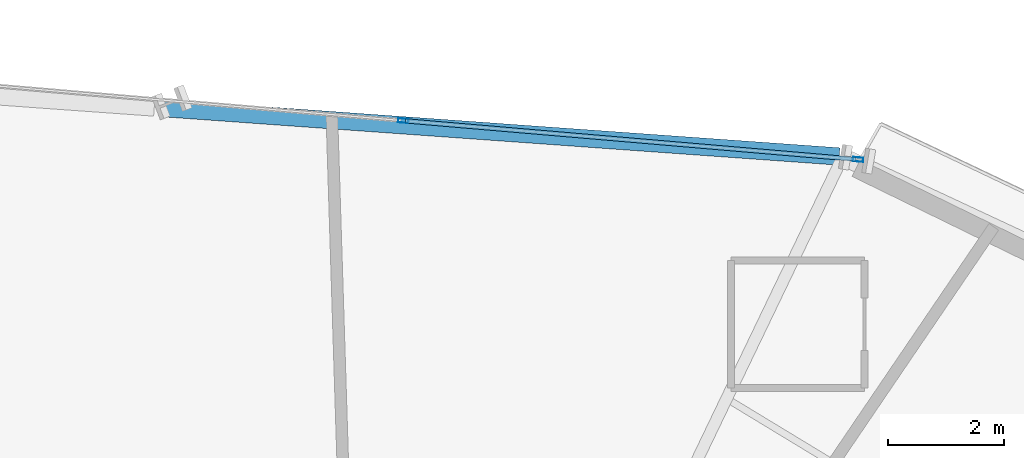
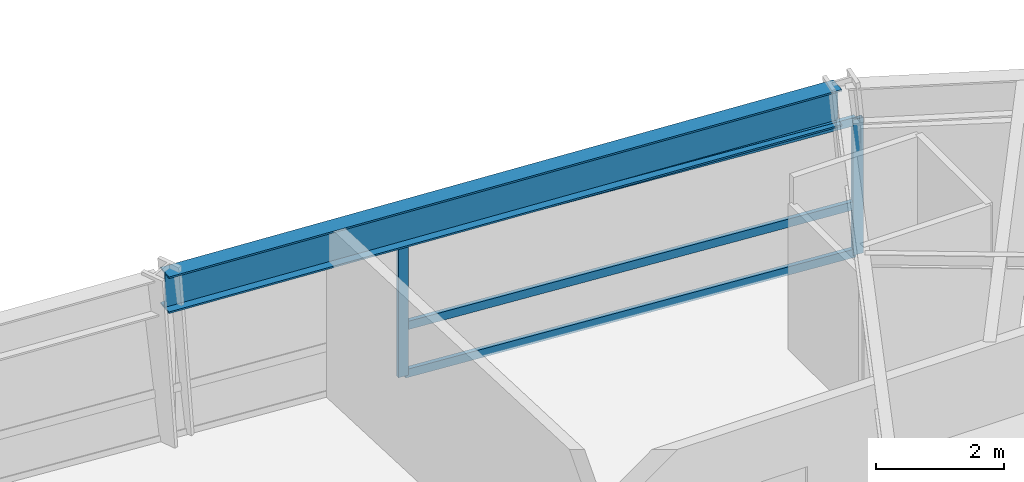
# One storey, part 10 of 21: 5 members, 1 beam, 1 element without a shape of its own.
"""IFC4 building model written with IfcOpenShell, lengths in metres."""

import ifcopenshell
import ifcopenshell.guid

model = None  # the IFC model being written
_history = None  # IfcOwnerHistory: only IFC2X3 demands one
_inside = {}  # id of a spatial element -> (the spatial element, [elements in it])
_under = {}  # id of a project, library or spatial element -> (it, [spatial elements below it])
_declared = {}  # id of a project -> (the project, [libraries it declares])
_typed = {}  # id of a type object -> (the type object, [elements of that type])
_made_of = {}  # id of a material, layer set ... -> (it, [elements and type objects made of it])


def new_model(schema):
    """Start an empty IFC model of exactly this schema.

    Asked for "IFC4X3", IfcOpenShell would pick the latest addendum, in which some entities
    have other attributes; the version numbers below select the first issue.
    IFC2X3 requires an IfcOwnerHistory on every rooted entity: one is made here for all.
    """
    global model, _history
    if schema == "IFC4X3":
        model = ifcopenshell.file(schema_version=(4, 3, 0, 0))
    else:
        model = ifcopenshell.file(schema=schema)
    _inside.clear()
    _under.clear()
    _declared.clear()
    _typed.clear()
    _made_of.clear()
    _history = None
    if model.schema == "IFC2X3":
        org = make("IfcOrganization", Name="unknown")
        user = make(
            "IfcPersonAndOrganization",
            ThePerson=make("IfcPerson", FamilyName="unknown"),
            TheOrganization=org,
        )
        app = make(
            "IfcApplication",
            ApplicationDeveloper=org,
            Version="unknown",
            ApplicationFullName="unknown",
            ApplicationIdentifier="unknown",
        )
        _history = make(
            "IfcOwnerHistory",
            OwningUser=user,
            OwningApplication=app,
            ChangeAction="ADDED",
            CreationDate=0,
        )
    return model


def make(cls, **values):
    """One entity of the class cls with the attributes given. An attribute that is None is left unset."""
    return model.create_entity(
        cls, **{name: value for name, value in values.items() if value is not None}
    )


def rooted(cls, **values):
    """An entity with a GlobalId (a new one), such as an element, a storey or a relation."""
    return make(cls, GlobalId=ifcopenshell.guid.new(), OwnerHistory=_history, **values)


def si_unit(unit_type, name, prefix=None):
    """IfcSIUnit, for example si_unit("LENGTHUNIT", "METRE", prefix="MILLI")."""
    return make("IfcSIUnit", UnitType=unit_type, Prefix=prefix, Name=name)


def assignment(units):
    """IfcUnitAssignment: the units of a project."""
    return None if units is None else make("IfcUnitAssignment", Units=units)


def point(xyz):
    """IfcCartesianPoint."""
    return None if xyz is None else make("IfcCartesianPoint", Coordinates=xyz)


def direction(xyz):
    """IfcDirection."""
    return None if xyz is None else make("IfcDirection", DirectionRatios=xyz)


def frame(location, z_axis=None, x_axis=None):
    """IfcAxis2Placement3D, a coordinate frame: its origin and axes. An axis left out is left unset."""
    return make(
        "IfcAxis2Placement3D",
        Location=point(location),
        Axis=direction(z_axis),
        RefDirection=direction(x_axis),
    )


def frame_2d(location, x_axis=None):
    """IfcAxis2Placement2D, a coordinate frame in the plane: its origin and x axis."""
    return make(
        "IfcAxis2Placement2D", Location=point(location), RefDirection=direction(x_axis)
    )


def origin():
    """The frame at (0, 0, 0) with its axes left unset."""
    return frame((0.0, 0.0, 0.0))


def origin_2d():
    """The frame at (0, 0) in the plane with its x axis left unset."""
    return frame_2d((0.0, 0.0))


def place(relative_to, where):
    """IfcLocalPlacement: puts the frame where relative to a parent placement (None: the world)."""
    return make(
        "IfcLocalPlacement", PlacementRelTo=relative_to, RelativePlacement=where
    )


def context(
    kind, dimensions, precision=None, world=None, true_north=None, identifier=None
):
    """IfcGeometricRepresentationContext, for example the 3D "Model" context."""
    return make(
        "IfcGeometricRepresentationContext",
        ContextIdentifier=identifier,
        ContextType=kind,
        CoordinateSpaceDimension=dimensions,
        Precision=precision,
        WorldCoordinateSystem=world,
        TrueNorth=true_north,
    )


def subcontext(parent, identifier, kind, view, scale=None):
    """IfcGeometricRepresentationSubContext, for example "Body" below "Model"."""
    return make(
        "IfcGeometricRepresentationSubContext",
        ContextIdentifier=identifier,
        ContextType=kind,
        ParentContext=parent,
        TargetScale=scale,
        TargetView=view,
    )


def project(units=None, contexts=None):
    """IfcProject with its units and contexts."""
    return rooted(
        "IfcProject",
        Name="project",
        RepresentationContexts=contexts,
        UnitsInContext=assignment(units),
    )


def spatial(cls, under=None, at=None, **own):
    """A site, building, storey or space (cls), placed at a placement, below another one or the project."""
    s = rooted(cls, ObjectPlacement=at, **own)
    if under is not None:
        _under.setdefault(under.id(), (under, []))[1].append(s)
    return s


def profile(cls, at=None, kind="AREA", **sizes):
    """A parametric profile (cls). Its sizes go by their IFC names, for example OverallWidth=200.0."""
    return make(cls, ProfileType=kind, Position=at, **sizes)


def hollow_rectangle(**sizes):
    """IfcRectangleHollowProfileDef."""
    return profile("IfcRectangleHollowProfileDef", **sizes)


def i_section(**sizes):
    """IfcIShapeProfileDef."""
    return profile("IfcIShapeProfileDef", **sizes)


def extrude(swept, where, along, depth):
    """IfcExtrudedAreaSolid: the profile swept, set in the frame where, extruded along a direction by depth."""
    return make(
        "IfcExtrudedAreaSolid",
        SweptArea=swept,
        Position=where,
        ExtrudedDirection=direction(along),
        Depth=depth,
    )


def shape(context_of_items, identifier, shape_type, items):
    """IfcShapeRepresentation: the items that make up one representation, for example the "Body"."""
    return make(
        "IfcShapeRepresentation",
        ContextOfItems=context_of_items,
        RepresentationIdentifier=identifier,
        RepresentationType=shape_type,
        Items=items,
    )


def source(mapping_origin, context_of_items, identifier, shape_type, items):
    """IfcRepresentationMap: a shape defined once, which mapped items show again and again."""
    return make(
        "IfcRepresentationMap",
        MappingOrigin=mapping_origin,
        MappedRepresentation=shape(context_of_items, identifier, shape_type, items),
    )


def transform(
    local_origin,
    x_axis=None,
    y_axis=None,
    z_axis=None,
    scale=None,
    scale2=None,
    scale3=None,
    uniform=True,
):
    """IfcCartesianTransformationOperator3D, or its non-uniform kind. x_axis, y_axis, z_axis: its Axis1, 2, 3."""
    if uniform:
        return make(
            "IfcCartesianTransformationOperator3D",
            Axis1=direction(x_axis),
            Axis2=direction(y_axis),
            LocalOrigin=point(local_origin),
            Scale=scale,
            Axis3=direction(z_axis),
        )
    return make(
        "IfcCartesianTransformationOperator3DnonUniform",
        Axis1=direction(x_axis),
        Axis2=direction(y_axis),
        LocalOrigin=point(local_origin),
        Scale=scale,
        Axis3=direction(z_axis),
        Scale2=scale2,
        Scale3=scale3,
    )


def mapped(mapping_source, mapping_target):
    """IfcMappedItem: shows the shape of a source again, moved by a transform."""
    return make(
        "IfcMappedItem", MappingSource=mapping_source, MappingTarget=mapping_target
    )


def material(Name=None, Category=None):
    """IfcMaterial."""
    return make("IfcMaterial", Name=Name, Category=Category)


def material_profile(
    of_material, cross_section, Name=None, Category=None, Priority=None
):
    """IfcMaterialProfile: a cross section and its material."""
    return make(
        "IfcMaterialProfile",
        Name=Name,
        Material=of_material,
        Profile=cross_section,
        Priority=Priority,
        Category=Category,
    )


def profile_set(profiles, Name=None, composite=None):
    """IfcMaterialProfileSet."""
    return make(
        "IfcMaterialProfileSet",
        Name=Name,
        MaterialProfiles=profiles,
        CompositeProfile=composite,
    )


def made_of(thing, what):
    """Note that an element or type object is made of a material, layer set ...; save() writes the relation."""
    if what is not None:
        _made_of.setdefault(what.id(), (what, []))[1].append(thing)
    return thing


def type_object(cls, material=None, **own):
    """A type object (cls), such as IfcWallType, which elements share."""
    return made_of(rooted(cls, **own), material)


def element(
    cls,
    number,
    at=None,
    inside=None,
    cuts=None,
    type_object=None,
    material=None,
    context=None,
    identifier="Body",
    shape_type=None,
    held_by="IfcProductDefinitionShape",
    body=None,
    shapes=None,
    **own,
):
    """One element of the class cls, such as IfcWall. Its Tag is "e" and its number.

    at: its placement. inside: the storey or other place that contains it. cuts: it is an
    opening in that element (IfcRelVoidsElement). A single representation is given by context,
    identifier, shape_type and body (its items); several are given by shapes. held_by: the class
    of the entity that holds the representations. save() writes the other relations.
    """
    e = rooted(cls, Tag="e%d" % number, ObjectPlacement=at, **own)
    if body is not None:
        shapes = [shape(context, identifier, shape_type, body)]
    if shapes is not None:
        e.Representation = make(held_by, Representations=shapes)
    if inside is not None:
        _inside.setdefault(inside.id(), (inside, []))[1].append(e)
    if cuts is not None:
        rooted(
            "IfcRelVoidsElement", RelatingBuildingElement=cuts, RelatedOpeningElement=e
        )
    if type_object is not None:
        _typed.setdefault(type_object.id(), (type_object, []))[1].append(e)
    return made_of(e, material)


def aggregate(whole, parts):
    """IfcRelAggregates: a whole, such as a stair, and the parts it consists of."""
    return rooted("IfcRelAggregates", RelatingObject=whole, RelatedObjects=parts)


def save(model, path):
    """Write the relations noted so far, then the file.

    IfcRelAggregates (storeys below a building ...), IfcRelContainedInSpatialStructure (elements
    in a storey), IfcRelDefinesByType, IfcRelAssociatesMaterial and IfcRelDeclares: one each for
    every whole, place, type object, material and project.
    """
    for whole, parts in _under.values():
        aggregate(whole, parts)
    for where, things in _inside.values():
        rooted(
            "IfcRelContainedInSpatialStructure",
            RelatedElements=things,
            RelatingStructure=where,
        )
    for kind, things in _typed.values():
        rooted("IfcRelDefinesByType", RelatedObjects=things, RelatingType=kind)
    for what, things in _made_of.values():
        rooted("IfcRelAssociatesMaterial", RelatedObjects=things, RelatingMaterial=what)
    for by, libraries in _declared.values():
        rooted("IfcRelDeclares", RelatingContext=by, RelatedDefinitions=libraries)
    model.write(path)


model = new_model("IFC4")

# Units and contexts
model_context = context("Model", 3, precision=1e-05, world=origin(), true_north=direction((0.0, 1.0)))
body_context = subcontext(model_context, "Body", "Model", "MODEL_VIEW")
ifc_project = project(units=[si_unit("LENGTHUNIT", "METRE"), si_unit("AREAUNIT", "SQUARE_METRE"), si_unit("VOLUMEUNIT", "CUBIC_METRE"), si_unit("PLANEANGLEUNIT", "RADIAN"), si_unit("MASSUNIT", "GRAM", prefix="KILO")], contexts=[model_context])

# Site, building, storey
site_placement = place(None, origin())
site = spatial("IfcSite", under=ifc_project, at=site_placement, CompositionType="ELEMENT")
building_placement = place(site_placement, origin())
building = spatial("IfcBuilding", under=site, at=building_placement, Name="Olszyna Solenne Hotel", CompositionType="ELEMENT")
storey_placement = place(building_placement, frame((0.0, 0.0, 68.35009765625)))
storey = spatial("IfcBuildingStorey", under=building, at=storey_placement, Name="L17", CompositionType="ELEMENT", Elevation=68.35009765625)

# Beam
ifc_material_1 = material(Name="Steel S355J2", Category="steel")
ifc_material_profile_1 = material_profile(ifc_material_1, i_section(OverallWidth=0.300048828125, OverallDepth=0.699951171875, WebThickness=0.01708984375, FlangeThickness=0.031982421875, at=origin_2d()), Name="HEB 700", Category="load-bearing")
ifc_profile_set_1 = profile_set([ifc_material_profile_1], Name="Steel S355J2")
beam_type = type_object("IfcBeamType", Name="BM-S1", PredefinedType="BEAM", material=ifc_profile_set_1)
shared_shape_1 = source(origin(), body_context, "Body", "SweptSolid", [
    extrude(i_section(OverallWidth=0.300048828125, OverallDepth=0.699951171875, WebThickness=0.01708984375, FlangeThickness=0.031982421875, at=origin_2d()), origin(), (0.0, 0.0, 1.0), 11.715576171875),
])
beam_placement = place(storey_placement, frame((46.18310546875, 43.771484375, 2.949951171875), z_axis=(-0.997451183843, 0.071352195832, 0.0), x_axis=(-0.071352195832, -0.997451183843, 0.0)))
element("IfcBeam", 1, at=beam_placement, inside=storey, type_object=beam_type, Name="Perimeter spandrel beam BM-S1 B-L17-0526", PredefinedType="BEAM", context=body_context, shape_type="MappedRepresentation", body=[
    mapped(shared_shape_1, transform((0.0, 0.0, 0.0), x_axis=(1.0, 0.0, 0.0), y_axis=(0.0, 1.0, 0.0), z_axis=(0.0, 0.0, 1.0), scale=1.0)),
])

# Curtain wall, members
ifc_material_2 = material(Name="Anodised bronze aluminium", Category="aluminium")
curtain_wall_type = type_object("IfcCurtainWallType", Name="CW-SYS-2", PredefinedType="NOTDEFINED", material=ifc_material_2)
curtain_wall_placement = place(storey_placement, origin())
curtain_wall = element("IfcCurtainWall", 2, at=curtain_wall_placement, inside=storey, type_object=curtain_wall_type, Name="Unitised curtain wall CW-SYS-2 CW-L17-02", PredefinedType="NOTDEFINED")
ifc_material_profile_2 = material_profile(ifc_material_2, hollow_rectangle(XDim=0.074951171875, YDim=0.179931640625, WallThickness=0.00439453125, at=origin_2d()), Name="MULL 180x75x4.5", Category="load-bearing")
ifc_profile_set_2 = profile_set([ifc_material_profile_2], Name="Anodised bronze aluminium")
member_type_1 = type_object("IfcMemberType", Name="CW-M2", PredefinedType="MULLION", material=ifc_profile_set_2)
shared_shape_2 = source(origin(), body_context, "Body", "SweptSolid", [
    extrude(hollow_rectangle(XDim=0.074951171875, YDim=0.179931640625, WallThickness=0.00439453125, at=origin_2d()), origin(), (0.0, 0.0, 1.0), 2.591796875),
])
member_1_placement = place(storey_placement, frame((38.670654296875, 44.388671875, 0.0), z_axis=(0.0, 0.0, 1.0), x_axis=(0.0851247352, 0.996370302376, 0.0)))
member_1 = element("IfcMember", 3, at=member_1_placement, type_object=member_type_1, Name="Curtain-wall mullion CW-M2 CM-L17-02-03", PredefinedType="MULLION", context=body_context, shape_type="MappedRepresentation", body=[
    mapped(shared_shape_2, transform((0.0, 0.0, 0.0), x_axis=(1.0, 0.0, 0.0), y_axis=(0.0, 1.0, 0.0), z_axis=(0.0, 0.0, 1.0), scale=1.0)),
])
member_2_placement = place(storey_placement, frame((46.505859375, 43.71923828125, 0.0), z_axis=(0.0, 0.0, 1.0), x_axis=(0.0851247352, 0.996370302376, 0.0)))
member_2 = element("IfcMember", 4, at=member_2_placement, type_object=member_type_1, Name="Curtain-wall mullion CW-M2 CM-L17-02-04", PredefinedType="MULLION", context=body_context, shape_type="MappedRepresentation", body=[
    mapped(shared_shape_2, transform((0.0, 0.0, 0.0), x_axis=(1.0, 0.0, 0.0), y_axis=(0.0, 1.0, 0.0), z_axis=(0.0, 0.0, 1.0), scale=1.0)),
])
ifc_material_profile_3 = material_profile(ifc_material_2, hollow_rectangle(XDim=0.074951171875, YDim=0.159912109375, WallThickness=0.00390625, at=origin_2d()), Name="TRAN 160x75x4", Category="load-bearing")
ifc_profile_set_3 = profile_set([ifc_material_profile_3], Name="Anodised bronze aluminium")
member_type_2 = type_object("IfcMemberType", Name="CW-T1", PredefinedType="USERDEFINED", material=ifc_profile_set_3)
shared_shape_3 = source(origin(), body_context, "Body", "SweptSolid", [
    extrude(hollow_rectangle(XDim=0.074951171875, YDim=0.159912109375, WallThickness=0.00390625, at=origin_2d()), origin(), (0.0, 0.0, 1.0), 7.788818359375),
])
member_3_placement = place(storey_placement, frame((38.7080078125, 44.385498046875, 0.037353515625), z_axis=(0.996369550468, -0.085133535693, 0.0), x_axis=(0.085133535693, 0.996369550468, 0.0)))
member_3 = element("IfcMember", 5, at=member_3_placement, type_object=member_type_2, Name="Curtain-wall transom CW-T1 CT-L17-02-07", ObjectType="TRANSOM", PredefinedType="USERDEFINED", context=body_context, shape_type="MappedRepresentation", body=[
    mapped(shared_shape_3, transform((0.0, 0.0, 0.0), x_axis=(1.0, 0.0, 0.0), y_axis=(0.0, 1.0, 0.0), z_axis=(0.0, 0.0, 1.0), scale=1.0)),
])
member_4_placement = place(storey_placement, frame((38.7080078125, 44.385498046875, 0.949951171875), z_axis=(0.996369550468, -0.085133535693, 0.0), x_axis=(0.085133535693, 0.996369550468, 0.0)))
member_4 = element("IfcMember", 6, at=member_4_placement, type_object=member_type_2, Name="Curtain-wall transom CW-T1 CT-L17-02-08", ObjectType="TRANSOM", PredefinedType="USERDEFINED", context=body_context, shape_type="MappedRepresentation", body=[
    mapped(shared_shape_3, transform((0.0, 0.0, 0.0), x_axis=(1.0, 0.0, 0.0), y_axis=(0.0, 1.0, 0.0), z_axis=(0.0, 0.0, 1.0), scale=1.0)),
])
member_5_placement = place(storey_placement, frame((38.7080078125, 44.385498046875, 2.554443359375), z_axis=(0.996369550468, -0.085133535693, 0.0), x_axis=(0.085133535693, 0.996369550468, 0.0)))
member_5 = element("IfcMember", 7, at=member_5_placement, type_object=member_type_2, Name="Curtain-wall transom CW-T1 CT-L17-02-09", ObjectType="TRANSOM", PredefinedType="USERDEFINED", context=body_context, shape_type="MappedRepresentation", body=[
    mapped(shared_shape_3, transform((0.0, 0.0, 0.0), x_axis=(1.0, 0.0, 0.0), y_axis=(0.0, 1.0, 0.0), z_axis=(0.0, 0.0, 1.0), scale=1.0)),
])
aggregate(curtain_wall, [member_1, member_2, member_3, member_4, member_5])

save(model, "model.ifc")
